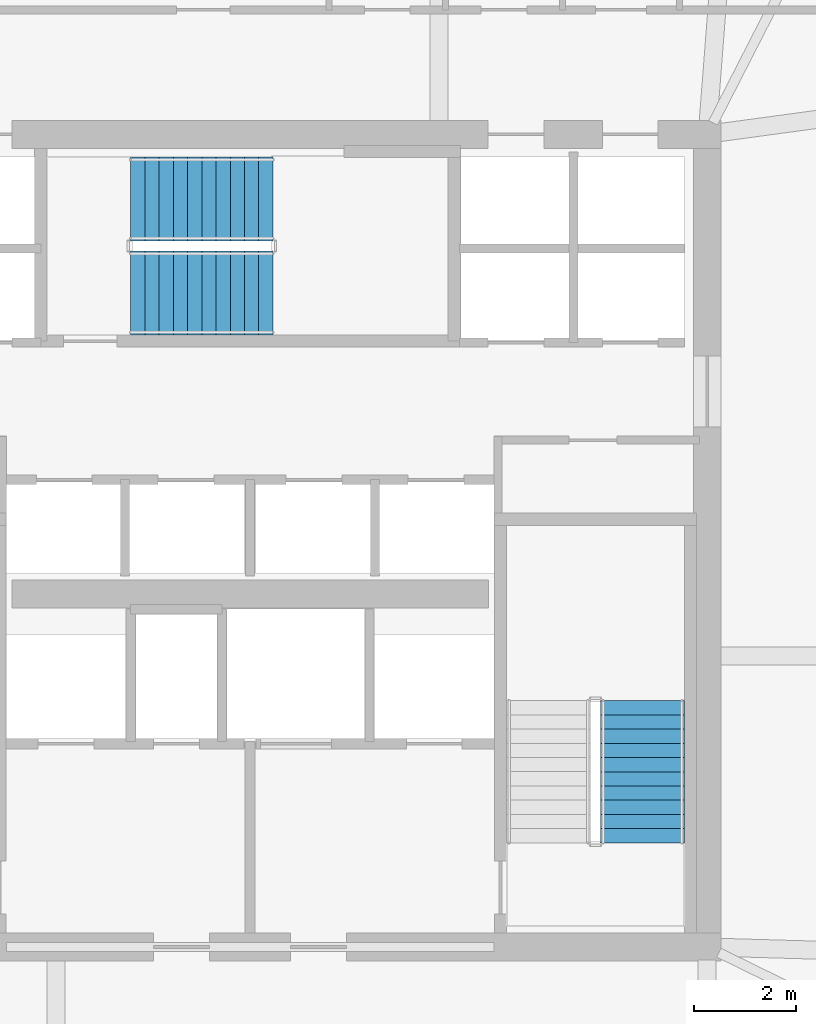
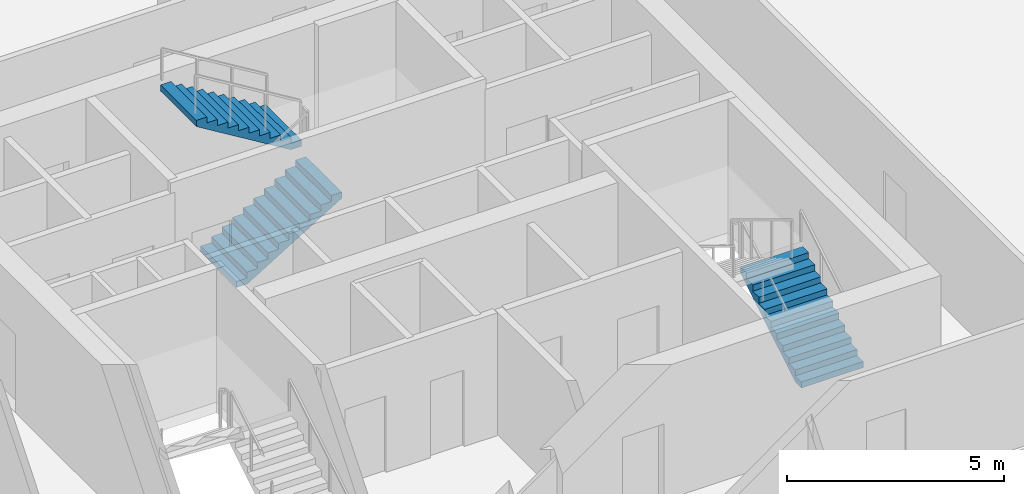
# One storey, part 28 of 33: 3 stair flights, 2 elements without a shape of their own.
"""IFC4 building model written with IfcOpenShell, lengths in metres."""

from ifc_helpers import new_model, si_unit, direction, frame, origin, place, context, subcontext, project, spatial, polyline, outline, extrude, material, type_object, element, aggregate, save


model = new_model("IFC4")

# Units and contexts
model_context = context("Model", 3, precision=1e-05, world=origin(), true_north=direction((0.0, 1.0)))
body_context = subcontext(model_context, "Body", "Model", "MODEL_VIEW")
ifc_project = project(units=[si_unit("LENGTHUNIT", "METRE"), si_unit("AREAUNIT", "SQUARE_METRE"), si_unit("VOLUMEUNIT", "CUBIC_METRE"), si_unit("PLANEANGLEUNIT", "RADIAN"), si_unit("MASSUNIT", "GRAM", prefix="KILO")], contexts=[model_context])

# Site, building, storey
site_placement = place(None, origin())
site = spatial("IfcSite", under=ifc_project, at=site_placement, CompositionType="ELEMENT")
building_placement = place(site_placement, origin())
building = spatial("IfcBuilding", under=site, at=building_placement, Name="Haldenkirk Collegiate Tower", CompositionType="ELEMENT")
storey_placement = place(building_placement, frame((0.0, 0.0, 94.199951171875)))
storey = spatial("IfcBuildingStorey", under=building, at=storey_placement, Name="L22", CompositionType="ELEMENT", Elevation=94.199951171875)

# Stair, stair flight
ifc_material = material(Name="Concrete f'c 40 MPa", Category="concrete")
stair_type = type_object("IfcStairType", Name="STR-DOGLEG-1650", PredefinedType="HALF_TURN_STAIR", material=ifc_material)
stair_1_placement = place(storey_placement, origin())
stair_1 = element("IfcStair", 1, at=stair_1_placement, inside=storey, type_object=stair_type, Name="L22 Core Exit Stair ST-2", PredefinedType="HALF_TURN_STAIR")
stair_flight_type = type_object("IfcStairFlightType", Name="STF-FLIGHT-1650", PredefinedType="STRAIGHT", material=ifc_material)
stair_flight_1_placement = place(storey_placement, frame((43.72509765625, 20.050048828125, 0.0), z_axis=(0.0, 0.0, 1.0), x_axis=(0.0, 1.0, 0.0)))
stair_flight_1 = element("IfcStairFlight", 2, at=stair_flight_1_placement, type_object=stair_flight_type, Name="ST-2 flight 1", NumberOfRisers=11, NumberOfTreads=10, PredefinedType="STRAIGHT", RiserHeight=0.170454545, TreadLength=0.28, context=body_context, shape_type="SweptSolid", body=[
    extrude(outline(polyline([(0.0, 0.0), (0.0, 0.17041015625), (0.280029296875, 0.17041015625), (0.280029296875, 0.3408203125), (0.56005859375, 0.3408203125), (0.56005859375, 0.511474609375), (0.840087890625, 0.511474609375), (0.840087890625, 0.681884765625), (1.1201171875, 0.681884765625), (1.1201171875, 0.852294921875), (1.39990234375, 0.852294921875), (1.39990234375, 1.022705078125), (1.679931640625, 1.022705078125), (1.679931640625, 1.193115234375), (1.9599609375, 1.193115234375), (1.9599609375, 1.363525390625), (2.239990234375, 1.363525390625), (2.239990234375, 1.5341796875), (2.52001953125, 1.5341796875), (2.52001953125, 1.70458984375), (2.800048828125, 1.70458984375), (2.800048828125, 1.875), (2.800048828125, 1.529052734375), (0.288330078125, 0.0), (0.0, 0.0)])), frame((0.0, 0.824951171875, 0.0), z_axis=(0.0, -1.0, 0.0), x_axis=(1.0, 0.0, 0.0)), (0.0, 0.0, 1.0), 1.64990234375),
])
aggregate(stair_1, [stair_flight_1])

# Stair, stair flights
stair_2_placement = place(storey_placement, origin())
stair_2 = element("IfcStair", 3, at=stair_2_placement, inside=storey, type_object=stair_type, Name="L22 Core Exit Stair ST-3", PredefinedType="HALF_TURN_STAIR")
stair_flight_2_placement = place(storey_placement, frame((33.64990234375, 30.875, 0.0), z_axis=(0.0, 0.0, 1.0), x_axis=(1.0, 0.0, 0.0)))
stair_flight_2 = element("IfcStairFlight", 4, at=stair_flight_2_placement, type_object=stair_flight_type, Name="ST-3 flight 1", NumberOfRisers=11, NumberOfTreads=10, PredefinedType="STRAIGHT", RiserHeight=0.170454545, TreadLength=0.28, context=body_context, shape_type="SweptSolid", body=[
    extrude(outline(polyline([(0.0, 0.0), (0.0, 0.17041015625), (0.280029296875, 0.17041015625), (0.280029296875, 0.3408203125), (0.56005859375, 0.3408203125), (0.56005859375, 0.511474609375), (0.840087890625, 0.511474609375), (0.840087890625, 0.681884765625), (1.1201171875, 0.681884765625), (1.1201171875, 0.852294921875), (1.39990234375, 0.852294921875), (1.39990234375, 1.022705078125), (1.679931640625, 1.022705078125), (1.679931640625, 1.193115234375), (1.9599609375, 1.193115234375), (1.9599609375, 1.363525390625), (2.239990234375, 1.363525390625), (2.239990234375, 1.5341796875), (2.52001953125, 1.5341796875), (2.52001953125, 1.70458984375), (2.800048828125, 1.70458984375), (2.800048828125, 1.875), (2.800048828125, 1.529052734375), (0.288330078125, 0.0), (0.0, 0.0)])), frame((0.0, 0.824951171875, 0.0), z_axis=(0.0, -1.0, 0.0), x_axis=(1.0, 0.0, 0.0)), (0.0, 0.0, 1.0), 1.64990234375),
])
stair_flight_3_placement = place(storey_placement, frame((36.449951171875, 32.72509765625, 1.875), z_axis=(0.0, 0.0, 1.0), x_axis=(-1.0, 0.0, 0.0)))
stair_flight_3 = element("IfcStairFlight", 5, at=stair_flight_3_placement, type_object=stair_flight_type, Name="ST-3 flight 2", NumberOfRisers=11, NumberOfTreads=10, PredefinedType="STRAIGHT", RiserHeight=0.170454545, TreadLength=0.28, context=body_context, shape_type="SweptSolid", body=[
    extrude(outline(polyline([(0.0, 0.0), (0.0, 0.17041015625), (0.280029296875, 0.17041015625), (0.280029296875, 0.3408203125), (0.56005859375, 0.3408203125), (0.56005859375, 0.511474609375), (0.840087890625, 0.511474609375), (0.840087890625, 0.681884765625), (1.1201171875, 0.681884765625), (1.1201171875, 0.852294921875), (1.39990234375, 0.852294921875), (1.39990234375, 1.022705078125), (1.679931640625, 1.022705078125), (1.679931640625, 1.193115234375), (1.9599609375, 1.193115234375), (1.9599609375, 1.363525390625), (2.239990234375, 1.363525390625), (2.239990234375, 1.5341796875), (2.52001953125, 1.5341796875), (2.52001953125, 1.70458984375), (2.800048828125, 1.70458984375), (2.800048828125, 1.875), (2.800048828125, 1.529052734375), (0.288330078125, 0.0), (0.0, 0.0)])), frame((0.0, 0.824951171875, 0.0), z_axis=(0.0, -1.0, 0.0), x_axis=(1.0, 0.0, 0.0)), (0.0, 0.0, 1.0), 1.64990234375),
])
aggregate(stair_2, [stair_flight_2, stair_flight_3])

save(model, "model.ifc")
